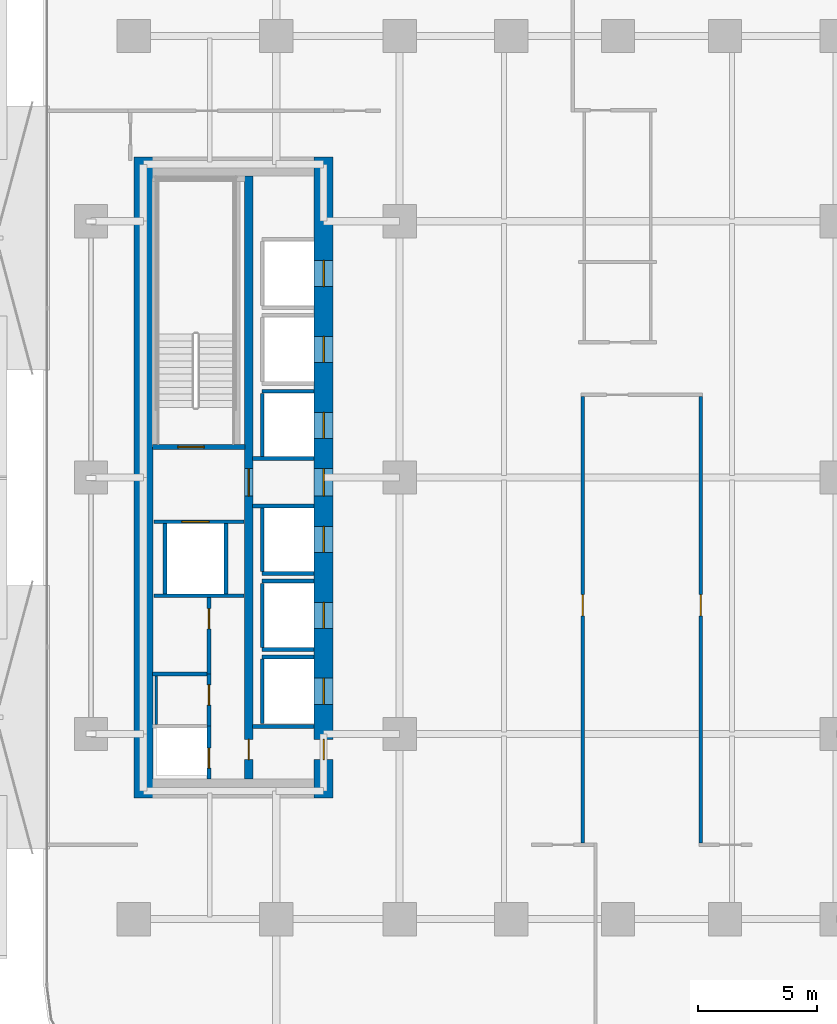
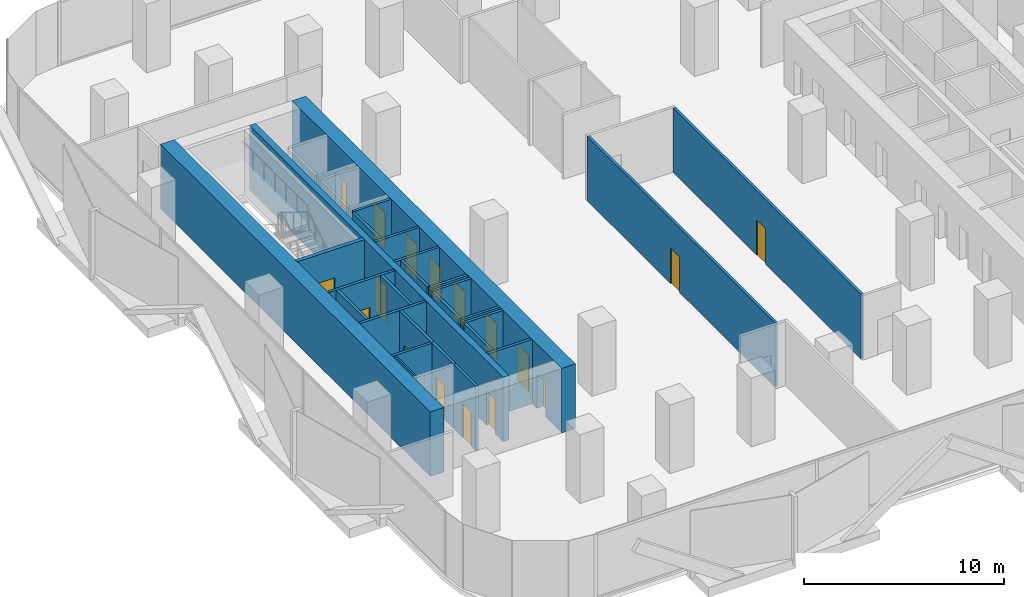
# One storey, part 3 of 15: 27 walls, 17 doors, 17 openings.
"""IFC4 building model written with IfcOpenShell, lengths in metres."""

from ifc_helpers import new_model, si_unit, direction, frame, frame_2d, origin, place, context, subcontext, project, spatial, rectangle, extrude, material, layer, layer_set, type_object, element, fill, save


model = new_model("IFC4")

# Units and contexts
model_context = context("Model", 3, precision=1e-05, world=origin(), true_north=direction((0.0, 1.0)))
body_context = subcontext(model_context, "Body", "Model", "MODEL_VIEW")
ifc_project = project(units=[si_unit("LENGTHUNIT", "METRE"), si_unit("AREAUNIT", "SQUARE_METRE"), si_unit("VOLUMEUNIT", "CUBIC_METRE"), si_unit("PLANEANGLEUNIT", "RADIAN"), si_unit("MASSUNIT", "GRAM", prefix="KILO")], contexts=[model_context])

# Site, building, storey
site_placement = place(None, origin())
site = spatial("IfcSite", under=ifc_project, at=site_placement, CompositionType="ELEMENT")
building_placement = place(site_placement, origin())
building = spatial("IfcBuilding", under=site, at=building_placement, Name="Khairoan Windgate Tower", CompositionType="ELEMENT")
storey_placement = place(building_placement, frame((0.0, 0.0, 59.60009765625)))
storey = spatial("IfcBuildingStorey", under=building, at=storey_placement, Name="L14", CompositionType="ELEMENT", Elevation=59.60009765625)

# Walls
ifc_material_1 = material(Name="Moisture-Resistant Gypsum Partition", Category="gypsum")
ifc_layer_1 = layer(ifc_material_1, 0.10009765625, Name="Moisture-Resistant Gypsum Partition")
ifc_layer_set_1 = layer_set([ifc_layer_1], Name="Moisture-Resistant Gypsum Partition")
wall_type_1 = type_object("IfcWallType", Name="Bathroom Wet-Area Partition Wall", PredefinedType="PARTITIONING", material=ifc_layer_set_1)
wall_1_placement = place(storey_placement, frame((-19.449951171875, -10.389892578125, 0.0), z_axis=(0.0, 0.0, 1.0), x_axis=(0.0, 1.0, 0.0)))
element("IfcWall", 1, at=wall_1_placement, inside=storey, type_object=wall_type_1, Name="L14 Wet Room Side Wall 034", PredefinedType="PARTITIONING", context=body_context, shape_type="SweptSolid", body=[
    extrude(rectangle(XDim=2.039794921875, YDim=0.10009765625, at=frame_2d((1.02001953125, 0.0))), origin(), (0.0, 0.0, 1.0), 3.93994140625),
])
ifc_material_2 = material(Name="Concrete C40/50", Category="concrete")
ifc_layer_2 = layer(ifc_material_2, 0.159912109375, Name="Concrete C40/50")
ifc_layer_set_2 = layer_set([ifc_layer_2], Name="Concrete C40/50")
wall_type_2 = type_object("IfcWallType", Name="Core and Hoistway Enclosure Wall", PredefinedType="STANDARD", material=ifc_layer_set_2)
wall_2_placement = place(storey_placement, frame((-14.989990234375, 3.639892578125, 0.0), z_axis=(0.0, 0.0, 1.0), x_axis=(1.0, 0.0, 0.0)))
element("IfcWall", 2, at=wall_2_placement, inside=storey, type_object=wall_type_2, Name="L14 Lift PL3 Hoistway Divider N", PredefinedType="STANDARD", context=body_context, shape_type="SweptSolid", body=[
    extrude(rectangle(XDim=2.18994140625, YDim=0.159912109375, at=frame_2d((1.094970703125, 0.0))), origin(), (0.0, 0.0, 1.0), 3.93994140625),
])
wall_3_placement = place(storey_placement, frame((-14.989990234375, 0.85009765625, 0.0), z_axis=(0.0, 0.0, 1.0), x_axis=(0.0, 1.0, 0.0)))
element("IfcWall", 3, at=wall_3_placement, inside=storey, type_object=wall_type_2, Name="L14 Lift PL3 Hoistway Back Wall", PredefinedType="STANDARD", context=body_context, shape_type="SweptSolid", body=[
    extrude(rectangle(XDim=2.699951171875, YDim=0.159912109375, at=frame_2d((1.35009765625, 0.0))), origin(), (0.0, 0.0, 1.0), 3.93994140625),
])
wall_4_placement = place(storey_placement, frame((-14.989990234375, -4.0400390625, 0.0), z_axis=(0.0, 0.0, 1.0), x_axis=(1.0, 0.0, 0.0)))
element("IfcWall", 4, at=wall_4_placement, inside=storey, type_object=wall_type_2, Name="L14 Lift PL4 Hoistway Divider S", PredefinedType="STANDARD", context=body_context, shape_type="SweptSolid", body=[
    extrude(rectangle(XDim=2.18994140625, YDim=0.159912109375, at=frame_2d((1.094970703125, 0.0))), origin(), (0.0, 0.0, 1.0), 3.93994140625),
])
wall_5_placement = place(storey_placement, frame((-14.989990234375, -3.949951171875, 0.0), z_axis=(0.0, 0.0, 1.0), x_axis=(0.0, 1.0, 0.0)))
element("IfcWall", 5, at=wall_5_placement, inside=storey, type_object=wall_type_2, Name="L14 Lift PL4 Hoistway Back Wall", PredefinedType="STANDARD", context=body_context, shape_type="SweptSolid", body=[
    extrude(rectangle(XDim=2.699951171875, YDim=0.159912109375, at=frame_2d((1.35009765625, 0.0))), origin(), (0.0, 0.0, 1.0), 3.93994140625),
])
for number, where, z_axis, x_axis, name in (
    (6, (-14.989990234375, -7.239990234375, 0.0), (0.0, 0.0, 1.0), (1.0, 0.0, 0.0), "L14 Lift PL5 Hoistway Divider S"),
    (7, (-14.989990234375, -4.360107421875, 0.0), (0.0, 0.0, 1.0), (1.0, 0.0, 0.0), "L14 Lift PL5 Hoistway Divider N"),
):
    element("IfcWall", number, at=place(storey_placement, frame(where, z_axis=z_axis, x_axis=x_axis)), inside=storey, type_object=wall_type_2, Name=name, PredefinedType="STANDARD", context=body_context, shape_type="SweptSolid", body=[
        extrude(rectangle(XDim=2.18994140625, YDim=0.159912109375, at=frame_2d((1.094970703125, 0.0))), origin(), (0.0, 0.0, 1.0), 3.93994140625),
    ])
wall_6_placement = place(storey_placement, frame((-14.989990234375, -7.14990234375, 0.0), z_axis=(0.0, 0.0, 1.0), x_axis=(0.0, 1.0, 0.0)))
element("IfcWall", 8, at=wall_6_placement, inside=storey, type_object=wall_type_2, Name="L14 Lift PL5 Hoistway Back Wall", PredefinedType="STANDARD", context=body_context, shape_type="SweptSolid", body=[
    extrude(rectangle(XDim=2.699951171875, YDim=0.159912109375, at=frame_2d((1.35009765625, 0.0))), origin(), (0.0, 0.0, 1.0), 3.93994140625),
])
wall_7_placement = place(storey_placement, frame((-14.989990234375, -7.56005859375, 0.0), z_axis=(0.0, 0.0, 1.0), x_axis=(1.0, 0.0, 0.0)))
element("IfcWall", 9, at=wall_7_placement, inside=storey, type_object=wall_type_2, Name="L14 Lift PL6 Hoistway Divider N", PredefinedType="STANDARD", context=body_context, shape_type="SweptSolid", body=[
    extrude(rectangle(XDim=2.18994140625, YDim=0.159912109375, at=frame_2d((1.094970703125, 0.0))), origin(), (0.0, 0.0, 1.0), 3.93994140625),
])
wall_8_placement = place(storey_placement, frame((-14.989990234375, -10.35009765625, 0.0), z_axis=(0.0, 0.0, 1.0), x_axis=(0.0, 1.0, 0.0)))
element("IfcWall", 10, at=wall_8_placement, inside=storey, type_object=wall_type_2, Name="L14 Lift PL6 Hoistway Back Wall", PredefinedType="STANDARD", context=body_context, shape_type="SweptSolid", body=[
    extrude(rectangle(XDim=2.7001953125, YDim=0.159912109375, at=frame_2d((1.35009765625, 0.0))), origin(), (0.0, 0.0, 1.0), 3.93994140625),
])

# Wall, opening, door
wall_9_placement = place(storey_placement, frame((-19.550048828125, -1.860107421875, 0.0), z_axis=(0.0, 0.0, 1.0), x_axis=(1.0, 0.0, 0.0)))
wall_9 = element("IfcWall", 11, at=wall_9_placement, inside=storey, type_object=wall_type_2, Name="L14 Core Shaft Wall SW-FL2-L14", PredefinedType="STANDARD", context=body_context, shape_type="SweptSolid", body=[
    extrude(rectangle(XDim=3.800048828125, YDim=0.159912109375, at=frame_2d((1.89990234375, 0.0))), origin(), (0.0, 0.0, 1.0), 3.93994140625),
])
opening_1_placement = place(wall_9_placement, frame((1.179931640625, 0.0, 0.0)))
opening_1 = element("IfcOpeningElement", 12, at=opening_1_placement, cuts=wall_9, Name="Opening LD-FL", PredefinedType="OPENING", context=body_context, shape_type="SweptSolid", body=[
    extrude(rectangle(XDim=1.14990234375, YDim=2.199951171875, at=frame_2d((0.574951171875, 1.10009765625))), frame((0.0, 0.08984375, 0.0), z_axis=(0.0, -1.0, 0.0), x_axis=(1.0, 0.0, 0.0)), (0.0, 0.0, 1.0), 0.179931640625),
])
ifc_material_3 = material(Name="Steel S355", Category="steel")
door_type_1 = type_object("IfcDoorType", Name="Firefighting Lift Sliding Landing Door LD-FL 1150x2200", OperationType="DOUBLE_DOOR_SLIDING", PredefinedType="DOOR", material=ifc_material_3)
door_1_placement = place(opening_1_placement, origin())
door_1 = element("IfcDoor", 13, at=door_1_placement, inside=storey, type_object=door_type_1, Name="L14 Firefighting Lift FL2 Landing Door", OperationType="DOUBLE_DOOR_SLIDING", OverallHeight=2.199951171875, OverallWidth=1.14990234375, PredefinedType="DOOR", context=body_context, shape_type="SweptSolid", body=[
    extrude(rectangle(XDim=1.14990234375, YDim=2.199951171875, at=frame_2d((0.574951171875, 1.10009765625))), frame((0.0, 0.02490234375, 0.0), z_axis=(0.0, -1.0, 0.0), x_axis=(1.0, 0.0, 0.0)), (0.0, 0.0, 1.0), 0.050048828125),
])
fill(opening_1, door_1)

# Walls
wall_10_placement = place(storey_placement, frame((-19.550048828125, -4.97998046875, 0.0), z_axis=(0.0, 0.0, 1.0), x_axis=(1.0, 0.0, 0.0)))
element("IfcWall", 14, at=wall_10_placement, inside=storey, type_object=wall_type_2, Name="L14 Core Shaft Wall SW-FL2B-L14", PredefinedType="STANDARD", context=body_context, shape_type="SweptSolid", body=[
    extrude(rectangle(XDim=3.800048828125, YDim=0.159912109375, at=frame_2d((1.89990234375, 0.0))), origin(), (0.0, 0.0, 1.0), 3.93994140625),
])
for number, where, z_axis, x_axis, name in (
    (15, (-19.080078125, -4.89990234375, 0.0), (0.0, 0.0, 1.0), (0.0, 1.0, 0.0), "L14 Core Shaft Wall SW-FL2W-L14"),
    (16, (-16.52001953125, -4.89990234375, 0.0), (0.0, 0.0, 1.0), (0.0, 1.0, 0.0), "L14 Core Shaft Wall SW-FL2E-L14"),
):
    element("IfcWall", number, at=place(storey_placement, frame(where, z_axis=z_axis, x_axis=x_axis)), inside=storey, type_object=wall_type_2, Name=name, PredefinedType="STANDARD", context=body_context, shape_type="SweptSolid", body=[
        extrude(rectangle(XDim=2.9599609375, YDim=0.159912109375, at=frame_2d((1.47998046875, 0.0))), origin(), (0.0, 0.0, 1.0), 3.93994140625),
    ])
for number, where, z_axis, x_axis, name in (
    (17, (-15.39990234375, 0.800048828125, 0.0), (0.0, 0.0, 1.0), (1.0, 0.0, 0.0), "L14 Core Shaft Wall SW-WV1-L14"),
    (18, (-15.39990234375, -1.199951171875, 0.0), (0.0, 0.0, 1.0), (1.0, 0.0, 0.0), "L14 Core Shaft Wall SW-WV2-L14"),
    (19, (-15.39990234375, -10.47998046875, 0.0), (0.0, 0.0, 1.0), (1.0, 0.0, 0.0), "L14 Core Shaft Wall SW-WSV-L14"),
):
    element("IfcWall", number, at=place(storey_placement, frame(where, z_axis=z_axis, x_axis=x_axis)), inside=storey, type_object=wall_type_2, Name=name, PredefinedType="STANDARD", context=body_context, shape_type="SweptSolid", body=[
        extrude(rectangle(XDim=2.599853515625, YDim=0.159912109375, at=frame_2d((1.2998046875, 0.0))), origin(), (0.0, 0.0, 1.0), 3.93994140625),
    ])

# Wall, opening, door
ifc_material_4 = material(Name="Concrete C40/50", Category="concrete")
ifc_layer_3 = layer(ifc_material_4, 0.159912109375, Name="Concrete C40/50")
ifc_layer_set_3 = layer_set([ifc_layer_3], Name="Concrete C40/50")
wall_type_3 = type_object("IfcWallType", Name="Plant and Refuge Compartment Wall", PredefinedType="PARTITIONING", material=ifc_layer_set_3)
wall_11_placement = place(storey_placement, frame((-17.22998046875, -12.699951171875, 0.0), z_axis=(0.0, 0.0, 1.0), x_axis=(0.0, 1.0, 0.0)))
wall_11 = element("IfcWall", 20, at=wall_11_placement, inside=storey, type_object=wall_type_3, Name="L14 Interior Partition 001", PredefinedType="PARTITIONING", context=body_context, shape_type="SweptSolid", body=[
    extrude(rectangle(XDim=2.22998046875, YDim=0.159912109375, at=frame_2d((1.114990234375, 0.0))), origin(), (0.0, 0.0, 1.0), 3.93994140625),
])
opening_2_placement = place(wall_11_placement, frame((0.4599609375, 0.0, 0.0)))
opening_2 = element("IfcOpeningElement", 21, at=opening_2_placement, cuts=wall_11, Name="Opening FD-SRV", PredefinedType="OPENING", context=body_context, shape_type="SweptSolid", body=[
    extrude(rectangle(XDim=0.85009765625, YDim=2.10009765625, at=frame_2d((0.425048828125, 1.050048828125))), frame((0.0, 0.08984375, 0.0), z_axis=(0.0, -1.0, 0.0), x_axis=(1.0, 0.0, 0.0)), (0.0, 0.0, 1.0), 0.179931640625),
])
ifc_material_5 = material(Name="Steel S355", Category="steel")
door_type_2 = type_object("IfcDoorType", Name="Core Service and Riser Fire Door FD-SRV 850x2100", OperationType="NOTDEFINED", PredefinedType="DOOR", material=ifc_material_5)
door_2_placement = place(opening_2_placement, origin())
door_2 = element("IfcDoor", 22, at=door_2_placement, inside=storey, type_object=door_type_2, Name="L14 L14-04-L14-05 Door", OperationType="SINGLE_SWING_LEFT", OverallHeight=2.10009765625, OverallWidth=0.85009765625, PredefinedType="DOOR", context=body_context, shape_type="SweptSolid", body=[
    extrude(rectangle(XDim=0.85009765625, YDim=2.10009765625, at=frame_2d((0.425048828125, 1.050048828125))), frame((0.0, 0.02490234375, 0.0), z_axis=(0.0, -1.0, 0.0), x_axis=(1.0, 0.0, 0.0)), (0.0, 0.0, 1.0), 0.050048828125),
])
fill(opening_2, door_2)

wall_12_placement = place(storey_placement, frame((-17.22998046875, -10.469970703125, 0.0), z_axis=(0.0, 0.0, 1.0), x_axis=(0.0, 1.0, 0.0)))
wall_12 = element("IfcWall", 23, at=wall_12_placement, inside=storey, type_object=wall_type_3, Name="L14 Interior Partition 002", PredefinedType="PARTITIONING", context=body_context, shape_type="SweptSolid", body=[
    extrude(rectangle(XDim=2.199951171875, YDim=0.159912109375, at=frame_2d((1.10009765625, 0.0))), origin(), (0.0, 0.0, 1.0), 3.93994140625),
])
opening_3_placement = place(wall_12_placement, frame((0.889892578125, 0.0, 0.0)))
opening_3 = element("IfcOpeningElement", 24, at=opening_3_placement, cuts=wall_12, Name="Opening FD-SRV", PredefinedType="OPENING", context=body_context, shape_type="SweptSolid", body=[
    extrude(rectangle(XDim=0.85009765625, YDim=2.10009765625, at=frame_2d((0.425048828125, 1.050048828125))), frame((0.0, 0.08984375, 0.0), z_axis=(0.0, -1.0, 0.0), x_axis=(1.0, 0.0, 0.0)), (0.0, 0.0, 1.0), 0.179931640625),
])
door_3_placement = place(opening_3_placement, origin())
door_3 = element("IfcDoor", 25, at=door_3_placement, inside=storey, type_object=door_type_2, Name="L14 L14-04-L14-06 Door", OperationType="SINGLE_SWING_RIGHT", OverallHeight=2.10009765625, OverallWidth=0.85009765625, PredefinedType="DOOR", context=body_context, shape_type="SweptSolid", body=[
    extrude(rectangle(XDim=0.85009765625, YDim=2.10009765625, at=frame_2d((0.425048828125, 1.050048828125))), frame((0.0, 0.02490234375, 0.0), z_axis=(0.0, -1.0, 0.0), x_axis=(1.0, 0.0, 0.0)), (0.0, 0.0, 1.0), 0.050048828125),
])
fill(opening_3, door_3)

wall_13_placement = place(storey_placement, frame((-17.22998046875, -8.27001953125, 0.0), z_axis=(0.0, 0.0, 1.0), x_axis=(0.0, 1.0, 0.0)))
wall_13 = element("IfcWall", 26, at=wall_13_placement, inside=storey, type_object=wall_type_3, Name="L14 Interior Partition 003", PredefinedType="PARTITIONING", context=body_context, shape_type="SweptSolid", body=[
    extrude(rectangle(XDim=3.2099609375, YDim=0.159912109375, at=frame_2d((1.60498046875, 0.0))), origin(), (0.0, 0.0, 1.0), 3.93994140625),
])
opening_4_placement = place(wall_13_placement, frame((1.89990234375, 0.0, 0.0)))
opening_4 = element("IfcOpeningElement", 27, at=opening_4_placement, cuts=wall_13, Name="Opening FD-SRV", PredefinedType="OPENING", context=body_context, shape_type="SweptSolid", body=[
    extrude(rectangle(XDim=0.85009765625, YDim=2.10009765625, at=frame_2d((0.425048828125, 1.050048828125))), frame((0.0, 0.08984375, 0.0), z_axis=(0.0, -1.0, 0.0), x_axis=(1.0, 0.0, 0.0)), (0.0, 0.0, 1.0), 0.179931640625),
])
door_4_placement = place(opening_4_placement, origin())
door_4 = element("IfcDoor", 28, at=door_4_placement, inside=storey, type_object=door_type_2, Name="L14 L14-04-L14-07 Door", OperationType="SINGLE_SWING_LEFT", OverallHeight=2.10009765625, OverallWidth=0.85009765625, PredefinedType="DOOR", context=body_context, shape_type="SweptSolid", body=[
    extrude(rectangle(XDim=0.85009765625, YDim=2.10009765625, at=frame_2d((0.425048828125, 1.050048828125))), frame((0.0, 0.02490234375, 0.0), z_axis=(0.0, -1.0, 0.0), x_axis=(1.0, 0.0, 0.0)), (0.0, 0.0, 1.0), 0.050048828125),
])
fill(opening_4, door_4)

# Wall
wall_14_placement = place(storey_placement, frame((-19.60009765625, -8.27001953125, 0.0), z_axis=(0.0, 0.0, 1.0), x_axis=(1.0, 0.0, 0.0)))
element("IfcWall", 29, at=wall_14_placement, inside=storey, type_object=wall_type_3, Name="L14 Interior Partition 005", PredefinedType="PARTITIONING", context=body_context, shape_type="SweptSolid", body=[
    extrude(rectangle(XDim=2.2900390625, YDim=0.159912109375, at=frame_2d((1.14501953125, 0.0))), origin(), (0.0, 0.0, 1.0), 3.93994140625),
])

# Wall, opening, door
ifc_material_6 = material(Name="Acoustic Fire-Rated Gypsum Partition", Category="gypsum")
ifc_layer_4 = layer(ifc_material_6, 0.14990234375, Name="Acoustic Fire-Rated Gypsum Partition")
ifc_layer_set_4 = layer_set([ifc_layer_4], Name="Acoustic Fire-Rated Gypsum Partition")
wall_type_4 = type_object("IfcWallType", Name="Rated Corridor Partition Wall", PredefinedType="PARTITIONING", material=ifc_layer_set_4)
wall_15_placement = place(storey_placement, frame((-1.485107421875, -15.385009765625, 0.0), z_axis=(0.0, 0.0, 1.0), x_axis=(0.0, 1.0, 0.0)))
wall_15 = element("IfcWall", 30, at=wall_15_placement, inside=storey, type_object=wall_type_4, Name="L14 Interior Partition 017", PredefinedType="PARTITIONING", context=body_context, shape_type="SweptSolid", body=[
    extrude(rectangle(XDim=18.804931640625, YDim=0.14990234375, at=frame_2d((9.40234375, 0.0))), origin(), (0.0, 0.0, 1.0), 3.93994140625),
])
opening_5_placement = place(wall_15_placement, frame((9.55908203125, 0.0, 0.0)))
opening_5 = element("IfcOpeningElement", 31, at=opening_5_placement, cuts=wall_15, Name="Opening FD-ENT", PredefinedType="OPENING", context=body_context, shape_type="SweptSolid", body=[
    extrude(rectangle(XDim=0.89990234375, YDim=2.14990234375, at=frame_2d((0.449951171875, 1.074951171875))), frame((0.0, 0.0849609375, 0.0), z_axis=(0.0, -1.0, 0.0), x_axis=(1.0, 0.0, 0.0)), (0.0, 0.0, 1.0), 0.169921875),
])
ifc_material_7 = material(Name="Timber Fire-Rated Core", Category="wood")
door_type_3 = type_object("IfcDoorType", Name="Unit and Office Fire Entrance Door FD-ENT 900x2150", OperationType="NOTDEFINED", PredefinedType="DOOR", material=ifc_material_7)
door_5_placement = place(opening_5_placement, origin())
door_5 = element("IfcDoor", 32, at=door_5_placement, inside=storey, type_object=door_type_3, Name="L14 L14-34-L14-49 Door", OperationType="SINGLE_SWING_LEFT", OverallHeight=2.14990234375, OverallWidth=0.89990234375, PredefinedType="DOOR", context=body_context, shape_type="SweptSolid", body=[
    extrude(rectangle(XDim=0.89990234375, YDim=2.14990234375, at=frame_2d((0.449951171875, 1.074951171875))), frame((0.0, 0.02490234375, 0.0), z_axis=(0.0, -1.0, 0.0), x_axis=(1.0, 0.0, 0.0)), (0.0, 0.0, 1.0), 0.050048828125),
])
fill(opening_5, door_5)

wall_16_placement = place(storey_placement, frame((3.485107421875, -15.385009765625, 0.0), z_axis=(0.0, 0.0, 1.0), x_axis=(0.0, 1.0, 0.0)))
wall_16 = element("IfcWall", 33, at=wall_16_placement, inside=storey, type_object=wall_type_4, Name="L14 Interior Partition 019", PredefinedType="PARTITIONING", context=body_context, shape_type="SweptSolid", body=[
    extrude(rectangle(XDim=18.804931640625, YDim=0.14990234375, at=frame_2d((9.40234375, 0.0))), origin(), (0.0, 0.0, 1.0), 3.93994140625),
])
opening_6_placement = place(wall_16_placement, frame((9.55908203125, 0.0, 0.0)))
opening_6 = element("IfcOpeningElement", 34, at=opening_6_placement, cuts=wall_16, Name="Opening FD-ENT", PredefinedType="OPENING", context=body_context, shape_type="SweptSolid", body=[
    extrude(rectangle(XDim=0.89990234375, YDim=2.14990234375, at=frame_2d((0.449951171875, 1.074951171875))), frame((0.0, 0.0849609375, 0.0), z_axis=(0.0, -1.0, 0.0), x_axis=(1.0, 0.0, 0.0)), (0.0, 0.0, 1.0), 0.169921875),
])
door_6_placement = place(opening_6_placement, origin())
door_6 = element("IfcDoor", 35, at=door_6_placement, inside=storey, type_object=door_type_3, Name="L14 L14-35-L14-49 Door", OperationType="SINGLE_SWING_LEFT", OverallHeight=2.14990234375, OverallWidth=0.89990234375, PredefinedType="DOOR", context=body_context, shape_type="SweptSolid", body=[
    extrude(rectangle(XDim=0.89990234375, YDim=2.14990234375, at=frame_2d((0.449951171875, 1.074951171875))), frame((0.0, 0.02490234375, 0.0), z_axis=(0.0, -1.0, 0.0), x_axis=(1.0, 0.0, 0.0)), (0.0, 0.0, 1.0), 0.050048828125),
])
fill(opening_6, door_6)

# Wall
ifc_material_8 = material(Name="Concrete C70/85", Category="concrete")
ifc_layer_5 = layer(ifc_material_8, 0.800048828125, Name="Concrete C70/85")
ifc_layer_set_5 = layer_set([ifc_layer_5], Name="Concrete C70/85")
wall_type_5 = type_object("IfcWallType", Name="Shear Wall CW-W1 800mm", PredefinedType="SHEAR", material=ifc_layer_set_5)
wall_17_placement = place(storey_placement, frame((-20.0, -13.5, 0.0), z_axis=(0.0, 0.0, 1.0), x_axis=(0.0, 1.0, 0.0)))
element("IfcWall", 36, at=wall_17_placement, inside=storey, type_object=wall_type_5, Name="W Core West Shear Wall L14", PredefinedType="SHEAR", context=body_context, shape_type="SweptSolid", body=[
    extrude(rectangle(XDim=27.0, YDim=0.800048828125, at=frame_2d((13.5, 0.0))), origin(), (0.0, 0.0, 1.0), 3.93994140625),
])

# Wall, openings, doors
wall_18_placement = place(storey_placement, frame((-12.39990234375, -13.5, 0.0), z_axis=(0.0, 0.0, 1.0), x_axis=(0.0, 1.0, 0.0)))
wall_18 = element("IfcWall", 37, at=wall_18_placement, inside=storey, type_object=wall_type_5, Name="W Core East Shear Wall L14", PredefinedType="SHEAR", context=body_context, shape_type="SweptSolid", body=[
    extrude(rectangle(XDim=27.0, YDim=0.800048828125, at=frame_2d((13.5, 0.0))), origin(), (0.0, 0.0, 1.0), 3.93994140625),
])
opening_7_placement = place(wall_18_placement, frame((21.550048828125, 0.0, 0.0)))
opening_7 = element("IfcOpeningElement", 38, at=opening_7_placement, cuts=wall_18, Name="Opening LD-PL", PredefinedType="OPENING", context=body_context, shape_type="SweptSolid", body=[
    extrude(rectangle(XDim=1.10009765625, YDim=2.199951171875, at=frame_2d((0.550048828125, 1.10009765625))), frame((0.0, 0.409912109375, 0.0), z_axis=(0.0, -1.0, 0.0), x_axis=(1.0, 0.0, 0.0)), (0.0, 0.0, 1.0), 0.820068359375),
])
opening_8_placement = place(wall_18_placement, frame((18.35009765625, 0.0, 0.0)))
opening_8 = element("IfcOpeningElement", 39, at=opening_8_placement, cuts=wall_18, Name="Opening LD-PL", PredefinedType="OPENING", context=body_context, shape_type="SweptSolid", body=[
    extrude(rectangle(XDim=1.10009765625, YDim=2.199951171875, at=frame_2d((0.550048828125, 1.10009765625))), frame((0.0, 0.409912109375, 0.0), z_axis=(0.0, -1.0, 0.0), x_axis=(1.0, 0.0, 0.0)), (0.0, 0.0, 1.0), 0.820068359375),
])
opening_9_placement = place(wall_18_placement, frame((15.14990234375, 0.0, 0.0)))
opening_9 = element("IfcOpeningElement", 40, at=opening_9_placement, cuts=wall_18, Name="Opening LD-PL", PredefinedType="OPENING", context=body_context, shape_type="SweptSolid", body=[
    extrude(rectangle(XDim=1.10009765625, YDim=2.199951171875, at=frame_2d((0.550048828125, 1.10009765625))), frame((0.0, 0.409912109375, 0.0), z_axis=(0.0, -1.0, 0.0), x_axis=(1.0, 0.0, 0.0)), (0.0, 0.0, 1.0), 0.820068359375),
])
opening_10_placement = place(wall_18_placement, frame((10.35009765625, 0.0, 0.0)))
opening_10 = element("IfcOpeningElement", 41, at=opening_10_placement, cuts=wall_18, Name="Opening LD-PL", PredefinedType="OPENING", context=body_context, shape_type="SweptSolid", body=[
    extrude(rectangle(XDim=1.10009765625, YDim=2.199951171875, at=frame_2d((0.550048828125, 1.10009765625))), frame((0.0, 0.409912109375, 0.0), z_axis=(0.0, -1.0, 0.0), x_axis=(1.0, 0.0, 0.0)), (0.0, 0.0, 1.0), 0.820068359375),
])
opening_11_placement = place(wall_18_placement, frame((7.14990234375, 0.0, 0.0)))
opening_11 = element("IfcOpeningElement", 42, at=opening_11_placement, cuts=wall_18, Name="Opening LD-PL", PredefinedType="OPENING", context=body_context, shape_type="SweptSolid", body=[
    extrude(rectangle(XDim=1.10009765625, YDim=2.199951171875, at=frame_2d((0.550048828125, 1.10009765625))), frame((0.0, 0.409912109375, 0.0), z_axis=(0.0, -1.0, 0.0), x_axis=(1.0, 0.0, 0.0)), (0.0, 0.0, 1.0), 0.820068359375),
])
opening_12_placement = place(wall_18_placement, frame((3.949951171875, 0.0, 0.0)))
opening_12 = element("IfcOpeningElement", 43, at=opening_12_placement, cuts=wall_18, Name="Opening LD-PL", PredefinedType="OPENING", context=body_context, shape_type="SweptSolid", body=[
    extrude(rectangle(XDim=1.10009765625, YDim=2.199951171875, at=frame_2d((0.550048828125, 1.10009765625))), frame((0.0, 0.409912109375, 0.0), z_axis=(0.0, -1.0, 0.0), x_axis=(1.0, 0.0, 0.0)), (0.0, 0.0, 1.0), 0.820068359375),
])
opening_13_placement = place(wall_18_placement, frame((12.72509765625, 0.0, 0.0)))
opening_13 = element("IfcOpeningElement", 44, at=opening_13_placement, cuts=wall_18, Name="Opening FD-FFL", PredefinedType="OPENING", context=body_context, shape_type="SweptSolid", body=[
    extrude(rectangle(XDim=1.14990234375, YDim=2.199951171875, at=frame_2d((0.574951171875, 1.10009765625))), frame((0.0, 0.409912109375, 0.0), z_axis=(0.0, -1.0, 0.0), x_axis=(1.0, 0.0, 0.0)), (0.0, 0.0, 1.0), 0.820068359375),
])
opening_14_placement = place(wall_18_placement, frame((1.625, 0.0, 0.0)))
opening_14 = element("IfcOpeningElement", 45, at=opening_14_placement, cuts=wall_18, Name="Opening FD-SRV", PredefinedType="OPENING", context=body_context, shape_type="SweptSolid", body=[
    extrude(rectangle(XDim=0.85009765625, YDim=2.10009765625, at=frame_2d((0.425048828125, 1.050048828125))), frame((0.0, 0.409912109375, 0.0), z_axis=(0.0, -1.0, 0.0), x_axis=(1.0, 0.0, 0.0)), (0.0, 0.0, 1.0), 0.820068359375),
])
door_7_placement = place(opening_14_placement, origin())
door_7 = element("IfcDoor", 46, at=door_7_placement, inside=storey, type_object=door_type_2, Name="L14 West Core Service Vestibule Outer Door", OperationType="SINGLE_SWING_LEFT", OverallHeight=2.10009765625, OverallWidth=0.85009765625, PredefinedType="DOOR", context=body_context, shape_type="SweptSolid", body=[
    extrude(rectangle(XDim=0.85009765625, YDim=2.10009765625, at=frame_2d((0.425048828125, 1.050048828125))), frame((0.0, 0.02490234375, 0.0), z_axis=(0.0, -1.0, 0.0), x_axis=(1.0, 0.0, 0.0)), (0.0, 0.0, 1.0), 0.050048828125),
])
fill(opening_14, door_7)
ifc_material_9 = material(Name="Steel S355", Category="steel")
door_type_4 = type_object("IfcDoorType", Name="Firefighting Lobby Fire Door FD-FFL 1150x2200", OperationType="NOTDEFINED", PredefinedType="DOOR", material=ifc_material_9)
door_8_placement = place(opening_13_placement, origin())
door_8 = element("IfcDoor", 47, at=door_8_placement, inside=storey, type_object=door_type_4, Name="L14 West Core Vestibule Entry Door", OperationType="SINGLE_SWING_LEFT", OverallHeight=2.199951171875, OverallWidth=1.14990234375, PredefinedType="DOOR", context=body_context, shape_type="SweptSolid", body=[
    extrude(rectangle(XDim=1.14990234375, YDim=2.199951171875, at=frame_2d((0.574951171875, 1.10009765625))), frame((0.0, 0.02490234375, 0.0), z_axis=(0.0, -1.0, 0.0), x_axis=(1.0, 0.0, 0.0)), (0.0, 0.0, 1.0), 0.050048828125),
])
fill(opening_13, door_8)
ifc_material_10 = material(Name="Anodised Bronze Aluminium 6063-T6", Category="aluminium")
door_type_5 = type_object("IfcDoorType", Name="Passenger Lift Sliding Landing Door LD-PL 1100x2200", OperationType="DOUBLE_DOOR_SLIDING", PredefinedType="DOOR", material=ifc_material_10)
door_9_placement = place(opening_7_placement, origin())
door_9 = element("IfcDoor", 48, at=door_9_placement, inside=storey, type_object=door_type_5, Name="L14 Lift PL1 Sliding Landing Door", OperationType="DOUBLE_DOOR_SLIDING", OverallHeight=2.199951171875, OverallWidth=1.10009765625, PredefinedType="DOOR", context=body_context, shape_type="SweptSolid", body=[
    extrude(rectangle(XDim=1.10009765625, YDim=2.199951171875, at=frame_2d((0.550048828125, 1.10009765625))), frame((0.0, 0.02490234375, 0.0), z_axis=(0.0, -1.0, 0.0), x_axis=(1.0, 0.0, 0.0)), (0.0, 0.0, 1.0), 0.050048828125),
])
fill(opening_7, door_9)
door_10_placement = place(opening_8_placement, origin())
door_10 = element("IfcDoor", 49, at=door_10_placement, inside=storey, type_object=door_type_5, Name="L14 Lift PL2 Sliding Landing Door", OperationType="DOUBLE_DOOR_SLIDING", OverallHeight=2.199951171875, OverallWidth=1.10009765625, PredefinedType="DOOR", context=body_context, shape_type="SweptSolid", body=[
    extrude(rectangle(XDim=1.10009765625, YDim=2.199951171875, at=frame_2d((0.550048828125, 1.10009765625))), frame((0.0, 0.02490234375, 0.0), z_axis=(0.0, -1.0, 0.0), x_axis=(1.0, 0.0, 0.0)), (0.0, 0.0, 1.0), 0.050048828125),
])
fill(opening_8, door_10)
door_11_placement = place(opening_9_placement, origin())
door_11 = element("IfcDoor", 50, at=door_11_placement, inside=storey, type_object=door_type_5, Name="L14 Lift PL3 Sliding Landing Door", OperationType="DOUBLE_DOOR_SLIDING", OverallHeight=2.199951171875, OverallWidth=1.10009765625, PredefinedType="DOOR", context=body_context, shape_type="SweptSolid", body=[
    extrude(rectangle(XDim=1.10009765625, YDim=2.199951171875, at=frame_2d((0.550048828125, 1.10009765625))), frame((0.0, 0.02490234375, 0.0), z_axis=(0.0, -1.0, 0.0), x_axis=(1.0, 0.0, 0.0)), (0.0, 0.0, 1.0), 0.050048828125),
])
fill(opening_9, door_11)
door_12_placement = place(opening_10_placement, origin())
door_12 = element("IfcDoor", 51, at=door_12_placement, inside=storey, type_object=door_type_5, Name="L14 Lift PL4 Sliding Landing Door", OperationType="DOUBLE_DOOR_SLIDING", OverallHeight=2.199951171875, OverallWidth=1.10009765625, PredefinedType="DOOR", context=body_context, shape_type="SweptSolid", body=[
    extrude(rectangle(XDim=1.10009765625, YDim=2.199951171875, at=frame_2d((0.550048828125, 1.10009765625))), frame((0.0, 0.02490234375, 0.0), z_axis=(0.0, -1.0, 0.0), x_axis=(1.0, 0.0, 0.0)), (0.0, 0.0, 1.0), 0.050048828125),
])
fill(opening_10, door_12)
door_13_placement = place(opening_11_placement, origin())
door_13 = element("IfcDoor", 52, at=door_13_placement, inside=storey, type_object=door_type_5, Name="L14 Lift PL5 Sliding Landing Door", OperationType="DOUBLE_DOOR_SLIDING", OverallHeight=2.199951171875, OverallWidth=1.10009765625, PredefinedType="DOOR", context=body_context, shape_type="SweptSolid", body=[
    extrude(rectangle(XDim=1.10009765625, YDim=2.199951171875, at=frame_2d((0.550048828125, 1.10009765625))), frame((0.0, 0.02490234375, 0.0), z_axis=(0.0, -1.0, 0.0), x_axis=(1.0, 0.0, 0.0)), (0.0, 0.0, 1.0), 0.050048828125),
])
fill(opening_11, door_13)
door_14_placement = place(opening_12_placement, origin())
door_14 = element("IfcDoor", 53, at=door_14_placement, inside=storey, type_object=door_type_5, Name="L14 Lift PL6 Sliding Landing Door", OperationType="DOUBLE_DOOR_SLIDING", OverallHeight=2.199951171875, OverallWidth=1.10009765625, PredefinedType="DOOR", context=body_context, shape_type="SweptSolid", body=[
    extrude(rectangle(XDim=1.10009765625, YDim=2.199951171875, at=frame_2d((0.550048828125, 1.10009765625))), frame((0.0, 0.02490234375, 0.0), z_axis=(0.0, -1.0, 0.0), x_axis=(1.0, 0.0, 0.0)), (0.0, 0.0, 1.0), 0.050048828125),
])
fill(opening_12, door_14)

ifc_material_11 = material(Name="Concrete C60/75", Category="concrete")
ifc_layer_6 = layer(ifc_material_11, 0.35009765625, Name="Concrete C60/75")
ifc_layer_set_6 = layer_set([ifc_layer_6], Name="Concrete C60/75")
wall_type_6 = type_object("IfcWallType", Name="Shear Wall SW-1 350mm", PredefinedType="SHEAR", material=ifc_layer_set_6)
wall_19_placement = place(storey_placement, frame((-15.550048828125, -12.699951171875, 0.0), z_axis=(0.0, 0.0, 1.0), x_axis=(0.0, 1.0, 0.0)))
wall_19 = element("IfcWall", 54, at=wall_19_placement, inside=storey, type_object=wall_type_6, Name="W Core Spine Shear Wall L14", PredefinedType="SHEAR", context=body_context, shape_type="SweptSolid", body=[
    extrude(rectangle(XDim=25.39990234375, YDim=0.35009765625, at=frame_2d((12.699951171875, 0.0))), origin(), (0.0, 0.0, 1.0), 3.93994140625),
])
opening_15_placement = place(wall_19_placement, frame((11.925048828125, 0.0, 0.0)))
opening_15 = element("IfcOpeningElement", 55, at=opening_15_placement, cuts=wall_19, Name="Opening FD-FFL", PredefinedType="OPENING", context=body_context, shape_type="SweptSolid", body=[
    extrude(rectangle(XDim=1.14990234375, YDim=2.199951171875, at=frame_2d((0.574951171875, 1.10009765625))), frame((0.0, 0.18505859375, 0.0), z_axis=(0.0, -1.0, 0.0), x_axis=(1.0, 0.0, 0.0)), (0.0, 0.0, 1.0), 0.3701171875),
])
opening_16_placement = place(wall_19_placement, frame((0.824951171875, 0.0, 0.0)))
opening_16 = element("IfcOpeningElement", 56, at=opening_16_placement, cuts=wall_19, Name="Opening FD-SRV", PredefinedType="OPENING", context=body_context, shape_type="SweptSolid", body=[
    extrude(rectangle(XDim=0.85009765625, YDim=2.10009765625, at=frame_2d((0.425048828125, 1.050048828125))), frame((0.0, 0.18505859375, 0.0), z_axis=(0.0, -1.0, 0.0), x_axis=(1.0, 0.0, 0.0)), (0.0, 0.0, 1.0), 0.3701171875),
])
door_15_placement = place(opening_16_placement, origin())
door_15 = element("IfcDoor", 57, at=door_15_placement, inside=storey, type_object=door_type_2, Name="L14 West Core Service Passage Inner Door", OperationType="SINGLE_SWING_RIGHT", OverallHeight=2.10009765625, OverallWidth=0.85009765625, PredefinedType="DOOR", context=body_context, shape_type="SweptSolid", body=[
    extrude(rectangle(XDim=0.85009765625, YDim=2.10009765625, at=frame_2d((0.425048828125, 1.050048828125))), frame((0.0, 0.02490234375, 0.0), z_axis=(0.0, -1.0, 0.0), x_axis=(1.0, 0.0, 0.0)), (0.0, 0.0, 1.0), 0.050048828125),
])
fill(opening_16, door_15)
door_16_placement = place(opening_15_placement, origin())
door_16 = element("IfcDoor", 58, at=door_16_placement, inside=storey, type_object=door_type_4, Name="L14 West Firefighting Lobby Fire Door", OperationType="SINGLE_SWING_RIGHT", OverallHeight=2.199951171875, OverallWidth=1.14990234375, PredefinedType="DOOR", context=body_context, shape_type="SweptSolid", body=[
    extrude(rectangle(XDim=1.14990234375, YDim=2.199951171875, at=frame_2d((0.574951171875, 1.10009765625))), frame((0.0, 0.02490234375, 0.0), z_axis=(0.0, -1.0, 0.0), x_axis=(1.0, 0.0, 0.0)), (0.0, 0.0, 1.0), 0.050048828125),
])
fill(opening_15, door_16)

# Wall, opening, door
ifc_material_12 = material(Name="Concrete C50/60", Category="concrete")
ifc_layer_7 = layer(ifc_material_12, 0.219970703125, Name="Concrete C50/60")
ifc_layer_set_7 = layer_set([ifc_layer_7], Name="Concrete C50/60")
wall_type_7 = type_object("IfcWallType", Name="Shear Wall SW-ST 220mm", PredefinedType="SHEAR", material=ifc_layer_set_7)
wall_20_placement = place(storey_placement, frame((-19.6201171875, 1.2900390625, 0.0), z_axis=(0.0, 0.0, 1.0), x_axis=(1.0, 0.0, 0.0)))
wall_20 = element("IfcWall", 59, at=wall_20_placement, inside=storey, type_object=wall_type_7, Name="L14 Stair ST2 South Bearing Wall", PredefinedType="SHEAR", context=body_context, shape_type="SweptSolid", body=[
    extrude(rectangle(XDim=3.9150390625, YDim=0.219970703125, at=frame_2d((1.95751953125, 0.0))), origin(), (0.0, 0.0, 1.0), 3.93994140625),
])
opening_17_placement = place(wall_20_placement, frame((1.080078125, 0.0, 0.0)))
opening_17 = element("IfcOpeningElement", 60, at=opening_17_placement, cuts=wall_20, Name="Opening FD-ST", PredefinedType="OPENING", context=body_context, shape_type="SweptSolid", body=[
    extrude(rectangle(XDim=1.10009765625, YDim=2.199951171875, at=frame_2d((0.550048828125, 1.10009765625))), frame((0.0, 0.119873046875, 0.0), z_axis=(0.0, -1.0, 0.0), x_axis=(1.0, 0.0, 0.0)), (0.0, 0.0, 1.0), 0.239990234375),
])
ifc_material_13 = material(Name="Steel S355", Category="steel")
door_type_6 = type_object("IfcDoorType", Name="Smokeproof Stair Fire Door FD-ST 1100x2200", OperationType="NOTDEFINED", PredefinedType="DOOR", material=ifc_material_13)
door_17_placement = place(opening_17_placement, origin())
door_17 = element("IfcDoor", 61, at=door_17_placement, inside=storey, type_object=door_type_6, Name="L14 Stair ST2 Fire Door", OperationType="SINGLE_SWING_LEFT", OverallHeight=2.199951171875, OverallWidth=1.10009765625, PredefinedType="DOOR", context=body_context, shape_type="SweptSolid", body=[
    extrude(rectangle(XDim=1.10009765625, YDim=2.199951171875, at=frame_2d((0.550048828125, 1.10009765625))), frame((0.0, 0.02490234375, 0.0), z_axis=(0.0, -1.0, 0.0), x_axis=(1.0, 0.0, 0.0)), (0.0, 0.0, 1.0), 0.050048828125),
])
fill(opening_17, door_17)

save(model, "model.ifc")
